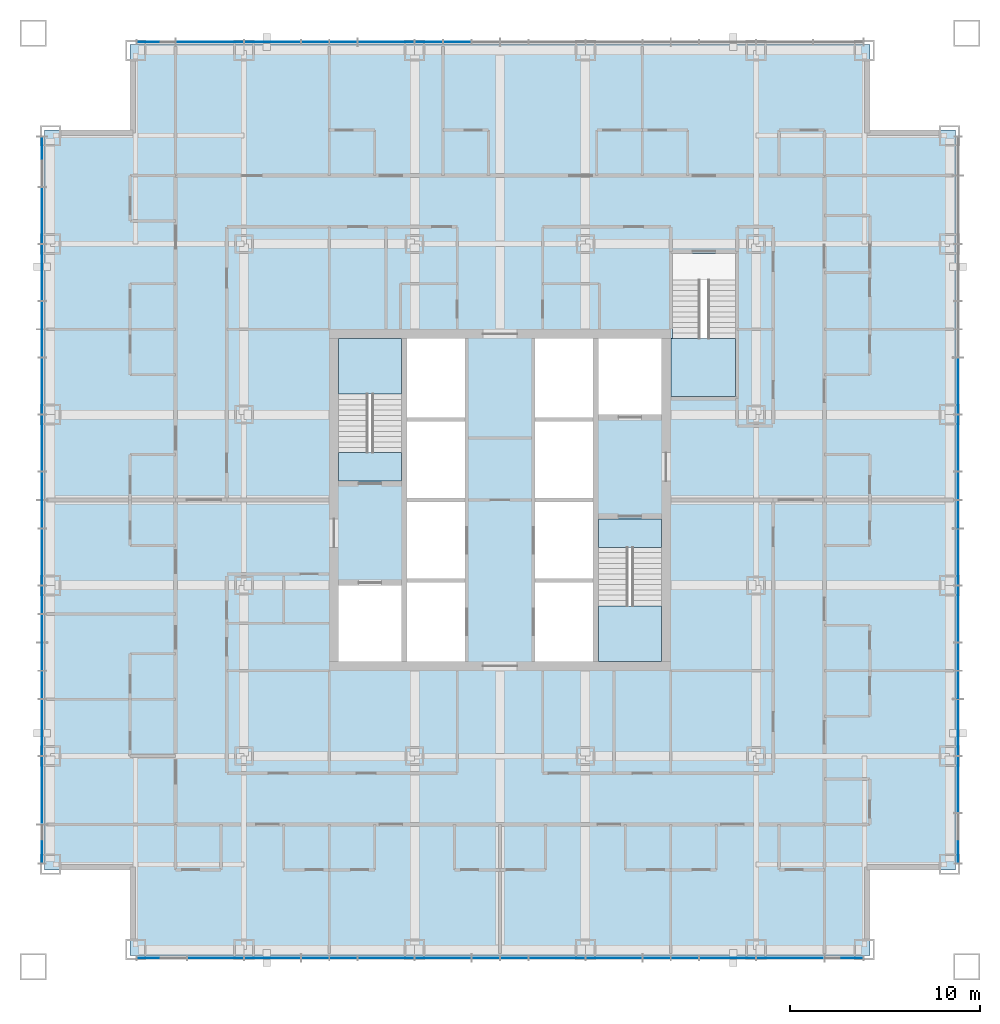
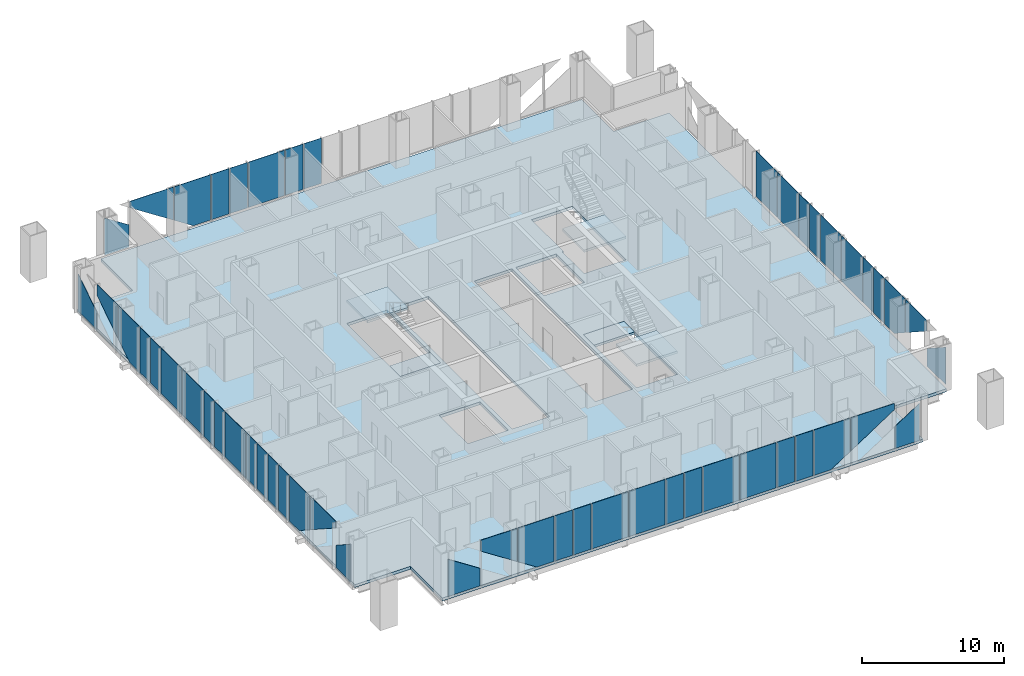
# One storey, part 7 of 14: 52 plates, 6 slabs, 7 elements without a shape of their own.
"""IFC4 building model written with IfcOpenShell, lengths in metres."""

from ifc_helpers import new_model, si_unit, direction, frame, origin, origin_2d, place, context, subcontext, project, spatial, polyline, rectangle, outline, extrude, material, layer, layer_set, type_object, element, aggregate, save


model = new_model("IFC4")

# Units and contexts
model_context = context("Model", 3, precision=1e-05, world=origin(), true_north=direction((0.0, 1.0)))
body_context = subcontext(model_context, "Body", "Model", "MODEL_VIEW")
ifc_project = project(units=[si_unit("LENGTHUNIT", "METRE"), si_unit("AREAUNIT", "SQUARE_METRE"), si_unit("VOLUMEUNIT", "CUBIC_METRE"), si_unit("PLANEANGLEUNIT", "RADIAN"), si_unit("MASSUNIT", "GRAM", prefix="KILO")], contexts=[model_context])

# Site, building, storey
site_placement = place(None, origin())
site = spatial("IfcSite", under=ifc_project, at=site_placement, CompositionType="ELEMENT")
building_placement = place(site_placement, origin())
building = spatial("IfcBuilding", under=site, at=building_placement, Name="Malebo Sky Hospital", CompositionType="ELEMENT")
storey_placement = place(building_placement, frame((0.0, 0.0, 164.0)))
storey = spatial("IfcBuildingStorey", under=building, at=storey_placement, Name="L39", CompositionType="ELEMENT", Elevation=164.0)

# Slab
ifc_material_1 = material(Name="Concrete C40/50", Category="concrete")
ifc_layer_1 = layer(ifc_material_1, 0.25)
ifc_layer_set_1 = layer_set([ifc_layer_1], Name="COMPOSITE FLOOR SLAB 250")
slab_type_1 = type_object("IfcSlabType", Name="COMPOSITE FLOOR SLAB 250", PredefinedType="FLOOR", material=ifc_layer_set_1)
slab_1_placement = place(storey_placement, frame((0.0, 0.0, -0.25)))
element("IfcSlab", 1, at=slab_1_placement, inside=storey, type_object=slab_type_1, Name="Floor slab L39", PredefinedType="FLOOR", context=body_context, shape_type="SweptSolid", body=[
    extrude(outline(polyline([(40.5, 86.0), (40.5, 81.5), (36.0, 81.5), (36.0, 42.5), (40.5, 42.5), (40.5, 38.0), (79.5, 38.0), (79.5, 42.5), (84.0, 42.5), (84.0, 81.5), (79.5, 81.5), (79.5, 86.0), (40.5, 86.0)]), holes=[polyline([(55.10009765625, 70.5), (58.14990234375, 70.5), (58.14990234375, 53.5), (55.10009765625, 53.5), (55.10009765625, 70.5)]), polyline([(64.89990234375, 70.5), (64.89990234375, 53.5), (61.85009765625, 53.5), (61.85009765625, 70.5), (64.89990234375, 70.5)]), polyline([(54.800048828125, 63.0), (51.5, 63.0), (51.5, 70.5), (54.800048828125, 70.5), (54.800048828125, 63.0)]), polyline([(51.5, 53.5), (51.5, 57.5), (54.800048828125, 57.5), (54.800048828125, 53.5), (51.5, 53.5)]), polyline([(65.199951171875, 61.0), (68.5, 61.0), (68.5, 53.5), (65.199951171875, 53.5), (65.199951171875, 61.0)]), polyline([(68.5, 70.5), (68.5, 66.5), (65.199951171875, 66.5), (65.199951171875, 70.5), (68.5, 70.5)]), polyline([(69.0, 67.449951171875), (69.0, 70.52001953125), (69.10009765625, 70.52001953125), (69.10009765625, 75.0), (72.39990234375, 75.0), (72.39990234375, 67.449951171875), (69.10009765625, 67.449951171875), (69.0, 67.449951171875)])]), origin(), (0.0, 0.0, 1.0), 0.25),
])

# Stair, slabs
stair_type_1 = type_object("IfcStairType", Name="HALF-TURN STAIR 1500 R167", PredefinedType="HALF_TURN_STAIR", material=ifc_material_1)
stair_1_placement = place(storey_placement, origin())
stair_1 = element("IfcStair", 2, at=stair_1_placement, inside=storey, type_object=stair_type_1, Name="Stair S1 L39 type ST1", PredefinedType="HALF_TURN_STAIR")
ifc_layer_2 = layer(ifc_material_1, 0.199951171875)
ifc_layer_set_2 = layer_set([ifc_layer_2], Name="STAIR LANDING 200")
slab_type_2 = type_object("IfcSlabType", Name="STAIR LANDING 200", PredefinedType="LANDING", material=ifc_layer_set_2)
slab_2_placement = place(storey_placement, frame((0.0, 0.0, -0.199951171875)))
slab_2 = element("IfcSlab", 3, at=slab_2_placement, type_object=slab_type_2, Name="S1 landing 1", PredefinedType="LANDING", context=body_context, shape_type="SweptSolid", body=[
    extrude(outline(polyline([(51.5, 63.0), (54.800048828125, 63.0), (54.800048828125, 64.5), (51.5, 64.5), (51.5, 63.0)])), origin(), (0.0, 0.0, 1.0), 0.199951171875),
])
slab_3_placement = place(storey_placement, frame((0.0, 0.0, 1.800048828125)))
slab_3 = element("IfcSlab", 4, at=slab_3_placement, type_object=slab_type_2, Name="S1 landing 2", PredefinedType="LANDING", context=body_context, shape_type="SweptSolid", body=[
    extrude(outline(polyline([(51.5, 67.580078125), (54.800048828125, 67.580078125), (54.800048828125, 70.5), (51.5, 70.5), (51.5, 67.580078125)])), origin(), (0.0, 0.0, 1.0), 0.199951171875),
])
aggregate(stair_1, [slab_2, slab_3])

stair_2_placement = place(storey_placement, origin())
stair_2 = element("IfcStair", 5, at=stair_2_placement, inside=storey, type_object=stair_type_1, Name="Stair S2 L39 type ST1", PredefinedType="HALF_TURN_STAIR")
slab_4_placement = place(storey_placement, frame((0.0, 0.0, -0.199951171875)))
slab_4 = element("IfcSlab", 6, at=slab_4_placement, type_object=slab_type_2, Name="S2 landing 1", PredefinedType="LANDING", context=body_context, shape_type="SweptSolid", body=[
    extrude(outline(polyline([(65.199951171875, 59.5), (68.5, 59.5), (68.5, 61.0), (65.199951171875, 61.0), (65.199951171875, 59.5)])), origin(), (0.0, 0.0, 1.0), 0.199951171875),
])
slab_5_placement = place(storey_placement, frame((0.0, 0.0, 1.800048828125)))
slab_5 = element("IfcSlab", 7, at=slab_5_placement, type_object=slab_type_2, Name="S2 landing 2", PredefinedType="LANDING", context=body_context, shape_type="SweptSolid", body=[
    extrude(outline(polyline([(65.199951171875, 53.5), (68.5, 53.5), (68.5, 56.419921875), (65.199951171875, 56.419921875), (65.199951171875, 53.5)])), origin(), (0.0, 0.0, 1.0), 0.199951171875),
])
aggregate(stair_2, [slab_4, slab_5])

# Stair, slab
stair_type_2 = type_object("IfcStairType", Name="HALF-TURN STAIR 1400 R167", PredefinedType="HALF_TURN_STAIR", material=ifc_material_1)
stair_3_placement = place(storey_placement, origin())
stair_3 = element("IfcStair", 8, at=stair_3_placement, inside=storey, type_object=stair_type_2, Name="Stair S3 L39 type ST1B", PredefinedType="HALF_TURN_STAIR")
slab_6_placement = place(storey_placement, frame((0.0, 0.0, 1.800048828125)))
slab_6 = element("IfcSlab", 9, at=slab_6_placement, type_object=slab_type_2, Name="S3 landing 2", PredefinedType="LANDING", context=body_context, shape_type="SweptSolid", body=[
    extrude(outline(polyline([(69.0, 67.449951171875), (72.39990234375, 67.449951171875), (72.39990234375, 70.52001953125), (69.0, 70.52001953125), (69.0, 67.449951171875)])), origin(), (0.0, 0.0, 1.0), 0.199951171875),
])
aggregate(stair_3, [slab_6])

# Curtain wall, plates
ifc_material_2 = material(Name="Anodised aluminium, natural silver", Category="aluminium")
ifc_layer_3 = layer(ifc_material_2, 0.25)
ifc_layer_set_3 = layer_set([ifc_layer_3], Name="WARD CURTAIN WALL NORTH AND SOUTH")
curtain_wall_type_1 = type_object("IfcCurtainWallType", Name="WARD CURTAIN WALL NORTH AND SOUTH", PredefinedType="NOTDEFINED", material=ifc_layer_set_3)
curtain_wall_1_placement = place(storey_placement, origin())
curtain_wall_1 = element("IfcCurtainWall", 10, at=curtain_wall_1_placement, inside=storey, type_object=curtain_wall_type_1, Name="NS curtain wall N", PredefinedType="NOTDEFINED")
ifc_material_3 = material(Name="Clear low-iron double glazing", Category="glass")
ifc_layer_4 = layer(ifc_material_3, 0.031982421875)
ifc_layer_set_4 = layer_set([ifc_layer_4], Name="VISION PANEL CLEAR 32")
plate_type = type_object("IfcPlateType", Name="VISION PANEL CLEAR 32", PredefinedType="CURTAIN_PANEL", material=ifc_layer_set_4)
plate_1_placement = place(storey_placement, frame((41.86865234375, 86.135009765625, 0.10009765625), z_axis=(0.0, 0.0, 1.0), x_axis=(1.0, 0.0, 0.0)))
plate_1 = element("IfcPlate", 11, at=plate_1_placement, type_object=plate_type, Name="Panel 1", PredefinedType="CURTAIN_PANEL", context=body_context, shape_type="SweptSolid", body=[
    extrude(outline(polyline([(-0.993896484375, 0.0), (0.993896484375, 0.0), (0.993896484375, 1.900146484375), (-0.993896484375, 3.19287109375), (-0.993896484375, 0.0)])), frame((0.0, 0.01611328125, 0.0), z_axis=(0.0, -1.0, 0.0), x_axis=(1.0, 0.0, 0.0)), (0.0, 0.0, 1.0), 0.031982421875),
])
plate_2_placement = place(storey_placement, frame((44.699951171875, 86.135009765625, 1.151123046875), z_axis=(0.0, 0.0, 1.0), x_axis=(1.0, 0.0, 0.0)))
plate_2 = element("IfcPlate", 12, at=plate_2_placement, type_object=plate_type, Name="Panel 2", PredefinedType="CURTAIN_PANEL", context=body_context, shape_type="SweptSolid", body=[
    extrude(outline(polyline([(1.762451171875, 0.0), (1.762451171875, 2.8388671875), (-1.762451171875, 2.8388671875), (-1.762451171875, 2.292724609375), (1.762451171875, 0.0)])), frame((0.0, 0.01611328125, 0.0), z_axis=(0.0, -1.0, 0.0), x_axis=(1.0, 0.0, 0.0)), (0.0, 0.0, 1.0), 0.031982421875),
])
plate_3_placement = place(storey_placement, frame((48.0, 86.135009765625, 0.10009765625), z_axis=(0.0, 0.0, 1.0), x_axis=(1.0, 0.0, 0.0)))
plate_3 = element("IfcPlate", 13, at=plate_3_placement, type_object=plate_type, Name="Panel 3", PredefinedType="CURTAIN_PANEL", context=body_context, shape_type="SweptSolid", body=[
    extrude(outline(polyline([(0.07861328125, 0.0), (1.46240234375, 0.0), (1.46240234375, 3.889892578125), (-1.46240234375, 3.889892578125), (-1.46240234375, 1.002197265625), (0.07861328125, 0.0)])), frame((0.0, 0.01611328125, 0.0), z_axis=(0.0, -1.0, 0.0), x_axis=(1.0, 0.0, 0.0)), (0.0, 0.0, 1.0), 0.031982421875),
])
plate_4_placement = place(storey_placement, frame((50.25, 86.135009765625, 0.10009765625), z_axis=(0.0, 0.0, 1.0), x_axis=(1.0, 0.0, 0.0)))
plate_4 = element("IfcPlate", 14, at=plate_4_placement, type_object=plate_type, Name="Panel 4", PredefinedType="CURTAIN_PANEL", context=body_context, shape_type="SweptSolid", body=[
    extrude(rectangle(XDim=1.425048828125, YDim=0.031982421875, at=origin_2d()), origin(), (0.0, 0.0, 1.0), 3.889892578125),
])
plate_5_placement = place(storey_placement, frame((51.75, 86.135009765625, 0.10009765625), z_axis=(0.0, 0.0, 1.0), x_axis=(1.0, 0.0, 0.0)))
plate_5 = element("IfcPlate", 15, at=plate_5_placement, type_object=plate_type, Name="Panel 5", PredefinedType="CURTAIN_PANEL", context=body_context, shape_type="SweptSolid", body=[
    extrude(rectangle(XDim=1.425048828125, YDim=0.031982421875, at=origin_2d()), origin(), (0.0, 0.0, 1.0), 3.889892578125),
])
plate_6_placement = place(storey_placement, frame((54.0, 86.135009765625, 0.10009765625), z_axis=(0.0, 0.0, 1.0), x_axis=(1.0, 0.0, 0.0)))
plate_6 = element("IfcPlate", 16, at=plate_6_placement, type_object=plate_type, Name="Panel 6", PredefinedType="CURTAIN_PANEL", context=body_context, shape_type="SweptSolid", body=[
    extrude(rectangle(XDim=2.925048828125, YDim=0.031982421875, at=origin_2d()), origin(), (0.0, 0.0, 1.0), 3.889892578125),
])
plate_7_placement = place(storey_placement, frame((56.25, 86.135009765625, 0.10009765625), z_axis=(0.0, 0.0, 1.0), x_axis=(1.0, 0.0, 0.0)))
plate_7 = element("IfcPlate", 17, at=plate_7_placement, type_object=plate_type, Name="Panel 7", PredefinedType="CURTAIN_PANEL", context=body_context, shape_type="SweptSolid", body=[
    extrude(rectangle(XDim=1.425048828125, YDim=0.031982421875, at=origin_2d()), origin(), (0.0, 0.0, 1.0), 3.889892578125),
])
plate_8_placement = place(storey_placement, frame((57.75, 86.135009765625, 0.10009765625), z_axis=(0.0, 0.0, 1.0), x_axis=(1.0, 0.0, 0.0)))
plate_8 = element("IfcPlate", 18, at=plate_8_placement, type_object=plate_type, Name="Panel 8", PredefinedType="CURTAIN_PANEL", context=body_context, shape_type="SweptSolid", body=[
    extrude(rectangle(XDim=1.425048828125, YDim=0.031982421875, at=origin_2d()), origin(), (0.0, 0.0, 1.0), 3.889892578125),
])
aggregate(curtain_wall_1, [plate_1, plate_2, plate_3, plate_4, plate_5, plate_6, plate_7, plate_8])

ifc_layer_5 = layer(ifc_material_2, 0.25)
ifc_layer_set_5 = layer_set([ifc_layer_5], Name="WARD CURTAIN WALL EAST AND WEST")
curtain_wall_type_2 = type_object("IfcCurtainWallType", Name="WARD CURTAIN WALL EAST AND WEST", PredefinedType="NOTDEFINED", material=ifc_layer_set_5)
curtain_wall_2_placement = place(storey_placement, origin())
curtain_wall_2 = element("IfcCurtainWall", 19, at=curtain_wall_2_placement, inside=storey, type_object=curtain_wall_type_2, Name="EW curtain wall W", PredefinedType="NOTDEFINED")
plate_9_placement = place(storey_placement, frame((35.864990234375, 43.86865234375, 0.10009765625), z_axis=(0.0, 0.0, 1.0), x_axis=(0.0, 1.0, 0.0)))
plate_9 = element("IfcPlate", 20, at=plate_9_placement, type_object=plate_type, Name="Panel 1", PredefinedType="CURTAIN_PANEL", context=body_context, shape_type="SweptSolid", body=[
    extrude(outline(polyline([(-0.993896484375, 0.0), (0.993896484375, 0.0), (0.993896484375, 1.900146484375), (-0.993896484375, 3.19287109375), (-0.993896484375, 0.0)])), frame((0.0, 0.01611328125, 0.0), z_axis=(0.0, -1.0, 0.0), x_axis=(1.0, 0.0, 0.0)), (0.0, 0.0, 1.0), 0.031982421875),
])
plate_10_placement = place(storey_placement, frame((35.864990234375, 46.699951171875, 1.151123046875), z_axis=(0.0, 0.0, 1.0), x_axis=(0.0, 1.0, 0.0)))
plate_10 = element("IfcPlate", 21, at=plate_10_placement, type_object=plate_type, Name="Panel 2", PredefinedType="CURTAIN_PANEL", context=body_context, shape_type="SweptSolid", body=[
    extrude(outline(polyline([(1.762451171875, 0.0), (1.762451171875, 2.8388671875), (-1.762451171875, 2.8388671875), (-1.762451171875, 2.292724609375), (1.762451171875, 0.0)])), frame((0.0, 0.01611328125, 0.0), z_axis=(0.0, -1.0, 0.0), x_axis=(1.0, 0.0, 0.0)), (0.0, 0.0, 1.0), 0.031982421875),
])
plate_11_placement = place(storey_placement, frame((35.864990234375, 50.0, 0.10009765625), z_axis=(0.0, 0.0, 1.0), x_axis=(0.0, 1.0, 0.0)))
plate_11 = element("IfcPlate", 22, at=plate_11_placement, type_object=plate_type, Name="Panel 3", PredefinedType="CURTAIN_PANEL", context=body_context, shape_type="SweptSolid", body=[
    extrude(outline(polyline([(0.07861328125, 0.0), (1.46240234375, 0.0), (1.46240234375, 3.889892578125), (-1.46240234375, 3.889892578125), (-1.46240234375, 1.002197265625), (0.07861328125, 0.0)])), frame((0.0, 0.01611328125, 0.0), z_axis=(0.0, -1.0, 0.0), x_axis=(1.0, 0.0, 0.0)), (0.0, 0.0, 1.0), 0.031982421875),
])
plate_12_placement = place(storey_placement, frame((35.864990234375, 52.25, 0.10009765625), z_axis=(0.0, 0.0, 1.0), x_axis=(0.0, 1.0, 0.0)))
plate_12 = element("IfcPlate", 23, at=plate_12_placement, type_object=plate_type, Name="Panel 4", PredefinedType="CURTAIN_PANEL", context=body_context, shape_type="SweptSolid", body=[
    extrude(rectangle(XDim=1.425048828125, YDim=0.031982421875, at=origin_2d()), origin(), (0.0, 0.0, 1.0), 3.889892578125),
])
plate_13_placement = place(storey_placement, frame((35.864990234375, 53.75, 0.10009765625), z_axis=(0.0, 0.0, 1.0), x_axis=(0.0, 1.0, 0.0)))
plate_13 = element("IfcPlate", 24, at=plate_13_placement, type_object=plate_type, Name="Panel 5", PredefinedType="CURTAIN_PANEL", context=body_context, shape_type="SweptSolid", body=[
    extrude(rectangle(XDim=1.425048828125, YDim=0.031982421875, at=origin_2d()), origin(), (0.0, 0.0, 1.0), 3.889892578125),
])
plate_14_placement = place(storey_placement, frame((35.864990234375, 55.25, 0.10009765625), z_axis=(0.0, 0.0, 1.0), x_axis=(0.0, 1.0, 0.0)))
plate_14 = element("IfcPlate", 25, at=plate_14_placement, type_object=plate_type, Name="Panel 6", PredefinedType="CURTAIN_PANEL", context=body_context, shape_type="SweptSolid", body=[
    extrude(rectangle(XDim=1.425048828125, YDim=0.031982421875, at=origin_2d()), origin(), (0.0, 0.0, 1.0), 3.889892578125),
])
plate_15_placement = place(storey_placement, frame((35.864990234375, 56.75, 0.10009765625), z_axis=(0.0, 0.0, 1.0), x_axis=(0.0, 1.0, 0.0)))
plate_15 = element("IfcPlate", 26, at=plate_15_placement, type_object=plate_type, Name="Panel 7", PredefinedType="CURTAIN_PANEL", context=body_context, shape_type="SweptSolid", body=[
    extrude(rectangle(XDim=1.425048828125, YDim=0.031982421875, at=origin_2d()), origin(), (0.0, 0.0, 1.0), 3.889892578125),
])
plate_16_placement = place(storey_placement, frame((35.864990234375, 59.0, 0.10009765625), z_axis=(0.0, 0.0, 1.0), x_axis=(0.0, 1.0, 0.0)))
plate_16 = element("IfcPlate", 27, at=plate_16_placement, type_object=plate_type, Name="Panel 8", PredefinedType="CURTAIN_PANEL", context=body_context, shape_type="SweptSolid", body=[
    extrude(rectangle(XDim=2.925048828125, YDim=0.031982421875, at=origin_2d()), origin(), (0.0, 0.0, 1.0), 3.889892578125),
])
plate_17_placement = place(storey_placement, frame((35.864990234375, 61.25, 0.10009765625), z_axis=(0.0, 0.0, 1.0), x_axis=(0.0, 1.0, 0.0)))
plate_17 = element("IfcPlate", 28, at=plate_17_placement, type_object=plate_type, Name="Panel 9", PredefinedType="CURTAIN_PANEL", context=body_context, shape_type="SweptSolid", body=[
    extrude(rectangle(XDim=1.425048828125, YDim=0.031982421875, at=origin_2d()), origin(), (0.0, 0.0, 1.0), 3.889892578125),
])
plate_18_placement = place(storey_placement, frame((35.864990234375, 62.75, 0.10009765625), z_axis=(0.0, 0.0, 1.0), x_axis=(0.0, 1.0, 0.0)))
plate_18 = element("IfcPlate", 29, at=plate_18_placement, type_object=plate_type, Name="Panel 10", PredefinedType="CURTAIN_PANEL", context=body_context, shape_type="SweptSolid", body=[
    extrude(rectangle(XDim=1.425048828125, YDim=0.031982421875, at=origin_2d()), origin(), (0.0, 0.0, 1.0), 3.889892578125),
])
plate_19_placement = place(storey_placement, frame((35.864990234375, 65.0, 0.10009765625), z_axis=(0.0, 0.0, 1.0), x_axis=(0.0, 1.0, 0.0)))
plate_19 = element("IfcPlate", 30, at=plate_19_placement, type_object=plate_type, Name="Panel 11", PredefinedType="CURTAIN_PANEL", context=body_context, shape_type="SweptSolid", body=[
    extrude(rectangle(XDim=2.925048828125, YDim=0.031982421875, at=origin_2d()), origin(), (0.0, 0.0, 1.0), 3.889892578125),
])
plate_20_placement = place(storey_placement, frame((35.864990234375, 68.0, 0.10009765625), z_axis=(0.0, 0.0, 1.0), x_axis=(0.0, 1.0, 0.0)))
plate_20 = element("IfcPlate", 31, at=plate_20_placement, type_object=plate_type, Name="Panel 12", PredefinedType="CURTAIN_PANEL", context=body_context, shape_type="SweptSolid", body=[
    extrude(rectangle(XDim=2.925048828125, YDim=0.031982421875, at=origin_2d()), origin(), (0.0, 0.0, 1.0), 3.889892578125),
])
plate_21_placement = place(storey_placement, frame((35.864990234375, 70.25, 0.10009765625), z_axis=(0.0, 0.0, 1.0), x_axis=(0.0, 1.0, 0.0)))
plate_21 = element("IfcPlate", 32, at=plate_21_placement, type_object=plate_type, Name="Panel 13", PredefinedType="CURTAIN_PANEL", context=body_context, shape_type="SweptSolid", body=[
    extrude(rectangle(XDim=1.425048828125, YDim=0.031982421875, at=origin_2d()), origin(), (0.0, 0.0, 1.0), 3.889892578125),
])
plate_22_placement = place(storey_placement, frame((35.864990234375, 71.75, 0.10009765625), z_axis=(0.0, 0.0, 1.0), x_axis=(0.0, 1.0, 0.0)))
plate_22 = element("IfcPlate", 33, at=plate_22_placement, type_object=plate_type, Name="Panel 14", PredefinedType="CURTAIN_PANEL", context=body_context, shape_type="SweptSolid", body=[
    extrude(rectangle(XDim=1.425048828125, YDim=0.031982421875, at=origin_2d()), origin(), (0.0, 0.0, 1.0), 3.889892578125),
])
plate_23_placement = place(storey_placement, frame((35.864990234375, 74.0, 0.10009765625), z_axis=(0.0, 0.0, 1.0), x_axis=(0.0, 1.0, 0.0)))
plate_23 = element("IfcPlate", 34, at=plate_23_placement, type_object=plate_type, Name="Panel 15", PredefinedType="CURTAIN_PANEL", context=body_context, shape_type="SweptSolid", body=[
    extrude(outline(polyline([(-1.46240234375, 0.0), (-0.07861328125, 0.0), (1.46240234375, 1.002197265625), (1.46240234375, 3.889892578125), (-1.46240234375, 3.889892578125), (-1.46240234375, 0.0)])), frame((0.0, 0.01611328125, 0.0), z_axis=(0.0, -1.0, 0.0), x_axis=(1.0, 0.0, 0.0)), (0.0, 0.0, 1.0), 0.031982421875),
])
plate_24_placement = place(storey_placement, frame((35.864990234375, 77.0, 1.151123046875), z_axis=(0.0, 0.0, 1.0), x_axis=(0.0, 1.0, 0.0)))
plate_24 = element("IfcPlate", 35, at=plate_24_placement, type_object=plate_type, Name="Panel 16", PredefinedType="CURTAIN_PANEL", context=body_context, shape_type="SweptSolid", body=[
    extrude(outline(polyline([(-1.46240234375, 0.0), (1.46240234375, 1.90234375), (1.46240234375, 2.8388671875), (-1.46240234375, 2.8388671875), (-1.46240234375, 0.0)])), frame((0.0, 0.01611328125, 0.0), z_axis=(0.0, -1.0, 0.0), x_axis=(1.0, 0.0, 0.0)), (0.0, 0.0, 1.0), 0.031982421875),
])
plate_25_placement = place(storey_placement, frame((35.864990234375, 79.831298828125, 0.10009765625), z_axis=(0.0, 0.0, 1.0), x_axis=(0.0, 1.0, 0.0)))
plate_25 = element("IfcPlate", 36, at=plate_25_placement, type_object=plate_type, Name="Panel 17", PredefinedType="CURTAIN_PANEL", context=body_context, shape_type="SweptSolid", body=[
    extrude(outline(polyline([(-1.293701171875, 0.0), (1.293701171875, 0.0), (1.293701171875, 3.19287109375), (-1.293701171875, 1.510009765625), (-1.293701171875, 0.0)])), frame((0.0, 0.01611328125, 0.0), z_axis=(0.0, -1.0, 0.0), x_axis=(1.0, 0.0, 0.0)), (0.0, 0.0, 1.0), 0.031982421875),
])
aggregate(curtain_wall_2, [plate_9, plate_10, plate_11, plate_12, plate_13, plate_14, plate_15, plate_16, plate_17, plate_18, plate_19, plate_20, plate_21, plate_22, plate_23, plate_24, plate_25])

curtain_wall_3_placement = place(storey_placement, origin())
curtain_wall_3 = element("IfcCurtainWall", 37, at=curtain_wall_3_placement, inside=storey, type_object=curtain_wall_type_1, Name="NS curtain wall S", PredefinedType="NOTDEFINED")
plate_26_placement = place(storey_placement, frame((78.13134765625, 37.864990234375, 0.10009765625), z_axis=(0.0, 0.0, 1.0), x_axis=(-1.0, 0.0, 0.0)))
plate_26 = element("IfcPlate", 38, at=plate_26_placement, type_object=plate_type, Name="Panel 1", PredefinedType="CURTAIN_PANEL", context=body_context, shape_type="SweptSolid", body=[
    extrude(outline(polyline([(-0.993896484375, 0.0), (0.993896484375, 0.0), (0.993896484375, 1.900146484375), (-0.993896484375, 3.19287109375), (-0.993896484375, 0.0)])), frame((0.0, 0.01611328125, 0.0), z_axis=(0.0, -1.0, 0.0), x_axis=(1.0, 0.0, 0.0)), (0.0, 0.0, 1.0), 0.031982421875),
])
plate_27_placement = place(storey_placement, frame((75.300048828125, 37.864990234375, 1.151123046875), z_axis=(0.0, 0.0, 1.0), x_axis=(-1.0, 0.0, 0.0)))
plate_27 = element("IfcPlate", 39, at=plate_27_placement, type_object=plate_type, Name="Panel 2", PredefinedType="CURTAIN_PANEL", context=body_context, shape_type="SweptSolid", body=[
    extrude(outline(polyline([(1.762451171875, 0.0), (1.762451171875, 2.8388671875), (-1.762451171875, 2.8388671875), (-1.762451171875, 2.292724609375), (1.762451171875, 0.0)])), frame((0.0, 0.01611328125, 0.0), z_axis=(0.0, -1.0, 0.0), x_axis=(1.0, 0.0, 0.0)), (0.0, 0.0, 1.0), 0.031982421875),
])
plate_28_placement = place(storey_placement, frame((72.0, 37.864990234375, 0.10009765625), z_axis=(0.0, 0.0, 1.0), x_axis=(-1.0, 0.0, 0.0)))
plate_28 = element("IfcPlate", 40, at=plate_28_placement, type_object=plate_type, Name="Panel 3", PredefinedType="CURTAIN_PANEL", context=body_context, shape_type="SweptSolid", body=[
    extrude(outline(polyline([(0.07861328125, 0.0), (1.46240234375, 0.0), (1.46240234375, 3.889892578125), (-1.46240234375, 3.889892578125), (-1.46240234375, 1.002197265625), (0.07861328125, 0.0)])), frame((0.0, 0.01611328125, 0.0), z_axis=(0.0, -1.0, 0.0), x_axis=(1.0, 0.0, 0.0)), (0.0, 0.0, 1.0), 0.031982421875),
])
plate_29_placement = place(storey_placement, frame((69.75, 37.864990234375, 0.10009765625), z_axis=(0.0, 0.0, 1.0), x_axis=(-1.0, 0.0, 0.0)))
plate_29 = element("IfcPlate", 41, at=plate_29_placement, type_object=plate_type, Name="Panel 4", PredefinedType="CURTAIN_PANEL", context=body_context, shape_type="SweptSolid", body=[
    extrude(rectangle(XDim=1.425048828125, YDim=0.031982421875, at=origin_2d()), origin(), (0.0, 0.0, 1.0), 3.889892578125),
])
plate_30_placement = place(storey_placement, frame((68.25, 37.864990234375, 0.10009765625), z_axis=(0.0, 0.0, 1.0), x_axis=(-1.0, 0.0, 0.0)))
plate_30 = element("IfcPlate", 42, at=plate_30_placement, type_object=plate_type, Name="Panel 5", PredefinedType="CURTAIN_PANEL", context=body_context, shape_type="SweptSolid", body=[
    extrude(rectangle(XDim=1.425048828125, YDim=0.031982421875, at=origin_2d()), origin(), (0.0, 0.0, 1.0), 3.889892578125),
])
plate_31_placement = place(storey_placement, frame((66.0, 37.864990234375, 0.10009765625), z_axis=(0.0, 0.0, 1.0), x_axis=(-1.0, 0.0, 0.0)))
plate_31 = element("IfcPlate", 43, at=plate_31_placement, type_object=plate_type, Name="Panel 6", PredefinedType="CURTAIN_PANEL", context=body_context, shape_type="SweptSolid", body=[
    extrude(rectangle(XDim=2.925048828125, YDim=0.031982421875, at=origin_2d()), origin(), (0.0, 0.0, 1.0), 3.889892578125),
])
plate_32_placement = place(storey_placement, frame((63.0, 37.864990234375, 0.10009765625), z_axis=(0.0, 0.0, 1.0), x_axis=(-1.0, 0.0, 0.0)))
plate_32 = element("IfcPlate", 44, at=plate_32_placement, type_object=plate_type, Name="Panel 7", PredefinedType="CURTAIN_PANEL", context=body_context, shape_type="SweptSolid", body=[
    extrude(rectangle(XDim=2.925048828125, YDim=0.031982421875, at=origin_2d()), origin(), (0.0, 0.0, 1.0), 3.889892578125),
])
plate_33_placement = place(storey_placement, frame((60.75, 37.864990234375, 0.10009765625), z_axis=(0.0, 0.0, 1.0), x_axis=(-1.0, 0.0, 0.0)))
plate_33 = element("IfcPlate", 45, at=plate_33_placement, type_object=plate_type, Name="Panel 8", PredefinedType="CURTAIN_PANEL", context=body_context, shape_type="SweptSolid", body=[
    extrude(rectangle(XDim=1.425048828125, YDim=0.031982421875, at=origin_2d()), origin(), (0.0, 0.0, 1.0), 3.889892578125),
])
plate_34_placement = place(storey_placement, frame((59.25, 37.864990234375, 0.10009765625), z_axis=(0.0, 0.0, 1.0), x_axis=(-1.0, 0.0, 0.0)))
plate_34 = element("IfcPlate", 46, at=plate_34_placement, type_object=plate_type, Name="Panel 9", PredefinedType="CURTAIN_PANEL", context=body_context, shape_type="SweptSolid", body=[
    extrude(rectangle(XDim=1.425048828125, YDim=0.031982421875, at=origin_2d()), origin(), (0.0, 0.0, 1.0), 3.889892578125),
])
plate_35_placement = place(storey_placement, frame((57.0, 37.864990234375, 0.10009765625), z_axis=(0.0, 0.0, 1.0), x_axis=(-1.0, 0.0, 0.0)))
plate_35 = element("IfcPlate", 47, at=plate_35_placement, type_object=plate_type, Name="Panel 10", PredefinedType="CURTAIN_PANEL", context=body_context, shape_type="SweptSolid", body=[
    extrude(rectangle(XDim=2.925048828125, YDim=0.031982421875, at=origin_2d()), origin(), (0.0, 0.0, 1.0), 3.889892578125),
])
plate_36_placement = place(storey_placement, frame((54.0, 37.864990234375, 0.10009765625), z_axis=(0.0, 0.0, 1.0), x_axis=(-1.0, 0.0, 0.0)))
plate_36 = element("IfcPlate", 48, at=plate_36_placement, type_object=plate_type, Name="Panel 11", PredefinedType="CURTAIN_PANEL", context=body_context, shape_type="SweptSolid", body=[
    extrude(rectangle(XDim=2.925048828125, YDim=0.031982421875, at=origin_2d()), origin(), (0.0, 0.0, 1.0), 3.889892578125),
])
plate_37_placement = place(storey_placement, frame((51.75, 37.864990234375, 0.10009765625), z_axis=(0.0, 0.0, 1.0), x_axis=(-1.0, 0.0, 0.0)))
plate_37 = element("IfcPlate", 49, at=plate_37_placement, type_object=plate_type, Name="Panel 12", PredefinedType="CURTAIN_PANEL", context=body_context, shape_type="SweptSolid", body=[
    extrude(rectangle(XDim=1.425048828125, YDim=0.031982421875, at=origin_2d()), origin(), (0.0, 0.0, 1.0), 3.889892578125),
])
plate_38_placement = place(storey_placement, frame((50.25, 37.864990234375, 0.10009765625), z_axis=(0.0, 0.0, 1.0), x_axis=(-1.0, 0.0, 0.0)))
plate_38 = element("IfcPlate", 50, at=plate_38_placement, type_object=plate_type, Name="Panel 13", PredefinedType="CURTAIN_PANEL", context=body_context, shape_type="SweptSolid", body=[
    extrude(rectangle(XDim=1.425048828125, YDim=0.031982421875, at=origin_2d()), origin(), (0.0, 0.0, 1.0), 3.889892578125),
])
plate_39_placement = place(storey_placement, frame((48.0, 37.864990234375, 0.10009765625), z_axis=(0.0, 0.0, 1.0), x_axis=(-1.0, 0.0, 0.0)))
plate_39 = element("IfcPlate", 51, at=plate_39_placement, type_object=plate_type, Name="Panel 14", PredefinedType="CURTAIN_PANEL", context=body_context, shape_type="SweptSolid", body=[
    extrude(outline(polyline([(-1.46240234375, 0.0), (-0.07861328125, 0.0), (1.46240234375, 1.002197265625), (1.46240234375, 3.889892578125), (-1.46240234375, 3.889892578125), (-1.46240234375, 0.0)])), frame((0.0, 0.01611328125, 0.0), z_axis=(0.0, -1.0, 0.0), x_axis=(1.0, 0.0, 0.0)), (0.0, 0.0, 1.0), 0.031982421875),
])
plate_40_placement = place(storey_placement, frame((45.0, 37.864990234375, 1.151123046875), z_axis=(0.0, 0.0, 1.0), x_axis=(-1.0, 0.0, 0.0)))
plate_40 = element("IfcPlate", 52, at=plate_40_placement, type_object=plate_type, Name="Panel 15", PredefinedType="CURTAIN_PANEL", context=body_context, shape_type="SweptSolid", body=[
    extrude(outline(polyline([(-1.46240234375, 0.0), (1.46240234375, 1.90234375), (1.46240234375, 2.8388671875), (-1.46240234375, 2.8388671875), (-1.46240234375, 0.0)])), frame((0.0, 0.01611328125, 0.0), z_axis=(0.0, -1.0, 0.0), x_axis=(1.0, 0.0, 0.0)), (0.0, 0.0, 1.0), 0.031982421875),
])
plate_41_placement = place(storey_placement, frame((42.168701171875, 37.864990234375, 0.10009765625), z_axis=(0.0, 0.0, 1.0), x_axis=(-1.0, 0.0, 0.0)))
plate_41 = element("IfcPlate", 53, at=plate_41_placement, type_object=plate_type, Name="Panel 16", PredefinedType="CURTAIN_PANEL", context=body_context, shape_type="SweptSolid", body=[
    extrude(outline(polyline([(-1.293701171875, 0.0), (1.293701171875, 0.0), (1.293701171875, 3.19287109375), (-1.293701171875, 1.510009765625), (-1.293701171875, 0.0)])), frame((0.0, 0.01611328125, 0.0), z_axis=(0.0, -1.0, 0.0), x_axis=(1.0, 0.0, 0.0)), (0.0, 0.0, 1.0), 0.031982421875),
])
aggregate(curtain_wall_3, [plate_26, plate_27, plate_28, plate_29, plate_30, plate_31, plate_32, plate_33, plate_34, plate_35, plate_36, plate_37, plate_38, plate_39, plate_40, plate_41])

curtain_wall_4_placement = place(storey_placement, origin())
curtain_wall_4 = element("IfcCurtainWall", 54, at=curtain_wall_4_placement, inside=storey, type_object=curtain_wall_type_2, Name="EW curtain wall E", PredefinedType="NOTDEFINED")
plate_42_placement = place(storey_placement, frame((84.135009765625, 68.0, 0.10009765625), z_axis=(0.0, 0.0, 1.0), x_axis=(0.0, -1.0, 0.0)))
plate_42 = element("IfcPlate", 55, at=plate_42_placement, type_object=plate_type, Name="Panel 6", PredefinedType="CURTAIN_PANEL", context=body_context, shape_type="SweptSolid", body=[
    extrude(rectangle(XDim=2.925048828125, YDim=0.031982421875, at=origin_2d()), origin(), (0.0, 0.0, 1.0), 3.889892578125),
])
plate_43_placement = place(storey_placement, frame((84.135009765625, 65.0, 0.10009765625), z_axis=(0.0, 0.0, 1.0), x_axis=(0.0, -1.0, 0.0)))
plate_43 = element("IfcPlate", 56, at=plate_43_placement, type_object=plate_type, Name="Panel 7", PredefinedType="CURTAIN_PANEL", context=body_context, shape_type="SweptSolid", body=[
    extrude(rectangle(XDim=2.925048828125, YDim=0.031982421875, at=origin_2d()), origin(), (0.0, 0.0, 1.0), 3.889892578125),
])
plate_44_placement = place(storey_placement, frame((84.135009765625, 62.75, 0.10009765625), z_axis=(0.0, 0.0, 1.0), x_axis=(0.0, -1.0, 0.0)))
plate_44 = element("IfcPlate", 57, at=plate_44_placement, type_object=plate_type, Name="Panel 8", PredefinedType="CURTAIN_PANEL", context=body_context, shape_type="SweptSolid", body=[
    extrude(rectangle(XDim=1.425048828125, YDim=0.031982421875, at=origin_2d()), origin(), (0.0, 0.0, 1.0), 3.889892578125),
])
plate_45_placement = place(storey_placement, frame((84.135009765625, 61.25, 0.10009765625), z_axis=(0.0, 0.0, 1.0), x_axis=(0.0, -1.0, 0.0)))
plate_45 = element("IfcPlate", 58, at=plate_45_placement, type_object=plate_type, Name="Panel 9", PredefinedType="CURTAIN_PANEL", context=body_context, shape_type="SweptSolid", body=[
    extrude(rectangle(XDim=1.425048828125, YDim=0.031982421875, at=origin_2d()), origin(), (0.0, 0.0, 1.0), 3.889892578125),
])
plate_46_placement = place(storey_placement, frame((84.135009765625, 59.0, 0.10009765625), z_axis=(0.0, 0.0, 1.0), x_axis=(0.0, -1.0, 0.0)))
plate_46 = element("IfcPlate", 59, at=plate_46_placement, type_object=plate_type, Name="Panel 10", PredefinedType="CURTAIN_PANEL", context=body_context, shape_type="SweptSolid", body=[
    extrude(rectangle(XDim=2.925048828125, YDim=0.031982421875, at=origin_2d()), origin(), (0.0, 0.0, 1.0), 3.889892578125),
])
plate_47_placement = place(storey_placement, frame((84.135009765625, 56.0, 0.10009765625), z_axis=(0.0, 0.0, 1.0), x_axis=(0.0, -1.0, 0.0)))
plate_47 = element("IfcPlate", 60, at=plate_47_placement, type_object=plate_type, Name="Panel 11", PredefinedType="CURTAIN_PANEL", context=body_context, shape_type="SweptSolid", body=[
    extrude(rectangle(XDim=2.925048828125, YDim=0.031982421875, at=origin_2d()), origin(), (0.0, 0.0, 1.0), 3.889892578125),
])
plate_48_placement = place(storey_placement, frame((84.135009765625, 53.75, 0.10009765625), z_axis=(0.0, 0.0, 1.0), x_axis=(0.0, -1.0, 0.0)))
plate_48 = element("IfcPlate", 61, at=plate_48_placement, type_object=plate_type, Name="Panel 12", PredefinedType="CURTAIN_PANEL", context=body_context, shape_type="SweptSolid", body=[
    extrude(rectangle(XDim=1.425048828125, YDim=0.031982421875, at=origin_2d()), origin(), (0.0, 0.0, 1.0), 3.889892578125),
])
plate_49_placement = place(storey_placement, frame((84.135009765625, 52.25, 0.10009765625), z_axis=(0.0, 0.0, 1.0), x_axis=(0.0, -1.0, 0.0)))
plate_49 = element("IfcPlate", 62, at=plate_49_placement, type_object=plate_type, Name="Panel 13", PredefinedType="CURTAIN_PANEL", context=body_context, shape_type="SweptSolid", body=[
    extrude(rectangle(XDim=1.425048828125, YDim=0.031982421875, at=origin_2d()), origin(), (0.0, 0.0, 1.0), 3.889892578125),
])
plate_50_placement = place(storey_placement, frame((84.135009765625, 50.0, 0.10009765625), z_axis=(0.0, 0.0, 1.0), x_axis=(0.0, -1.0, 0.0)))
plate_50 = element("IfcPlate", 63, at=plate_50_placement, type_object=plate_type, Name="Panel 14", PredefinedType="CURTAIN_PANEL", context=body_context, shape_type="SweptSolid", body=[
    extrude(outline(polyline([(-1.46240234375, 0.0), (-0.07861328125, 0.0), (1.46240234375, 1.002197265625), (1.46240234375, 3.889892578125), (-1.46240234375, 3.889892578125), (-1.46240234375, 0.0)])), frame((0.0, 0.01611328125, 0.0), z_axis=(0.0, -1.0, 0.0), x_axis=(1.0, 0.0, 0.0)), (0.0, 0.0, 1.0), 0.031982421875),
])
plate_51_placement = place(storey_placement, frame((84.135009765625, 47.0, 1.151123046875), z_axis=(0.0, 0.0, 1.0), x_axis=(0.0, -1.0, 0.0)))
plate_51 = element("IfcPlate", 64, at=plate_51_placement, type_object=plate_type, Name="Panel 15", PredefinedType="CURTAIN_PANEL", context=body_context, shape_type="SweptSolid", body=[
    extrude(outline(polyline([(-1.46240234375, 0.0), (1.46240234375, 1.90234375), (1.46240234375, 2.8388671875), (-1.46240234375, 2.8388671875), (-1.46240234375, 0.0)])), frame((0.0, 0.01611328125, 0.0), z_axis=(0.0, -1.0, 0.0), x_axis=(1.0, 0.0, 0.0)), (0.0, 0.0, 1.0), 0.031982421875),
])
plate_52_placement = place(storey_placement, frame((84.135009765625, 44.168701171875, 0.10009765625), z_axis=(0.0, 0.0, 1.0), x_axis=(0.0, -1.0, 0.0)))
plate_52 = element("IfcPlate", 65, at=plate_52_placement, type_object=plate_type, Name="Panel 16", PredefinedType="CURTAIN_PANEL", context=body_context, shape_type="SweptSolid", body=[
    extrude(outline(polyline([(-1.293701171875, 0.0), (1.293701171875, 0.0), (1.293701171875, 3.19287109375), (-1.293701171875, 1.510009765625), (-1.293701171875, 0.0)])), frame((0.0, 0.01611328125, 0.0), z_axis=(0.0, -1.0, 0.0), x_axis=(1.0, 0.0, 0.0)), (0.0, 0.0, 1.0), 0.031982421875),
])
aggregate(curtain_wall_4, [plate_42, plate_43, plate_44, plate_45, plate_46, plate_47, plate_48, plate_49, plate_50, plate_51, plate_52])

save(model, "model.ifc")
